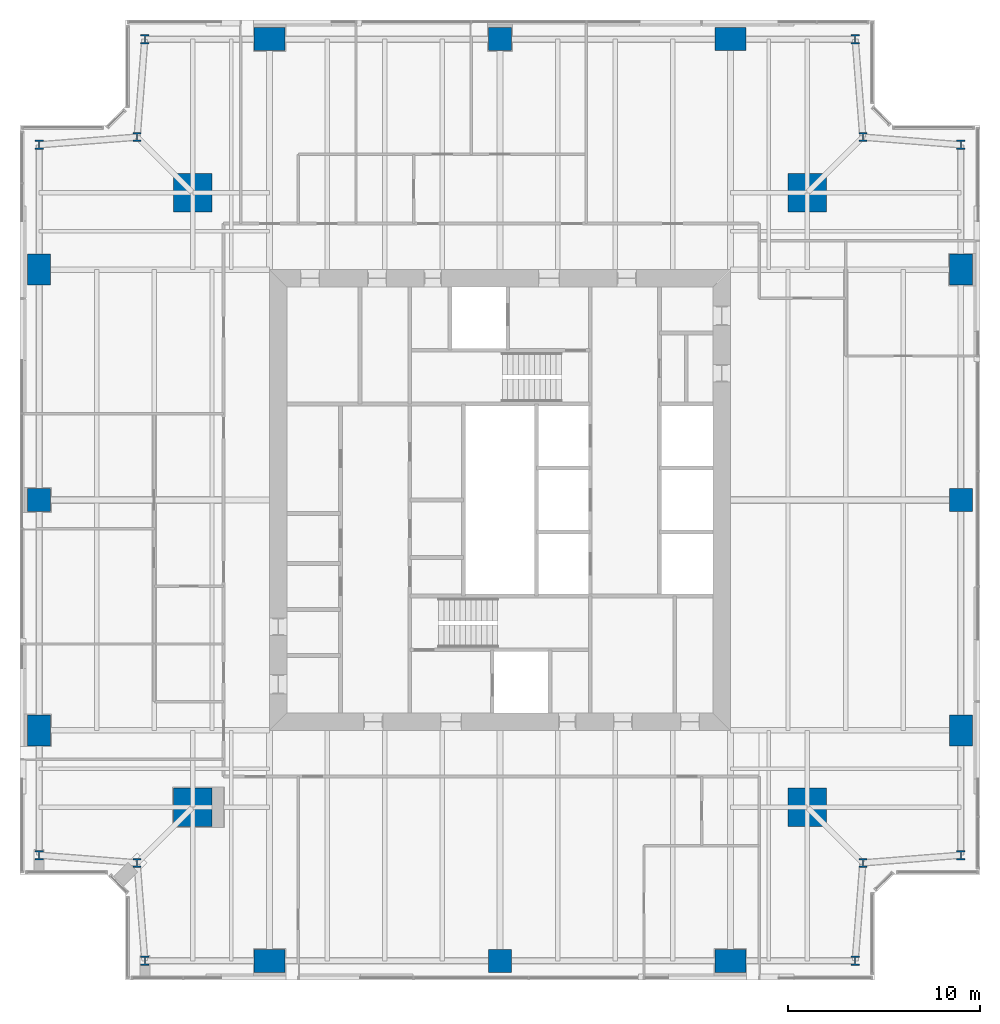
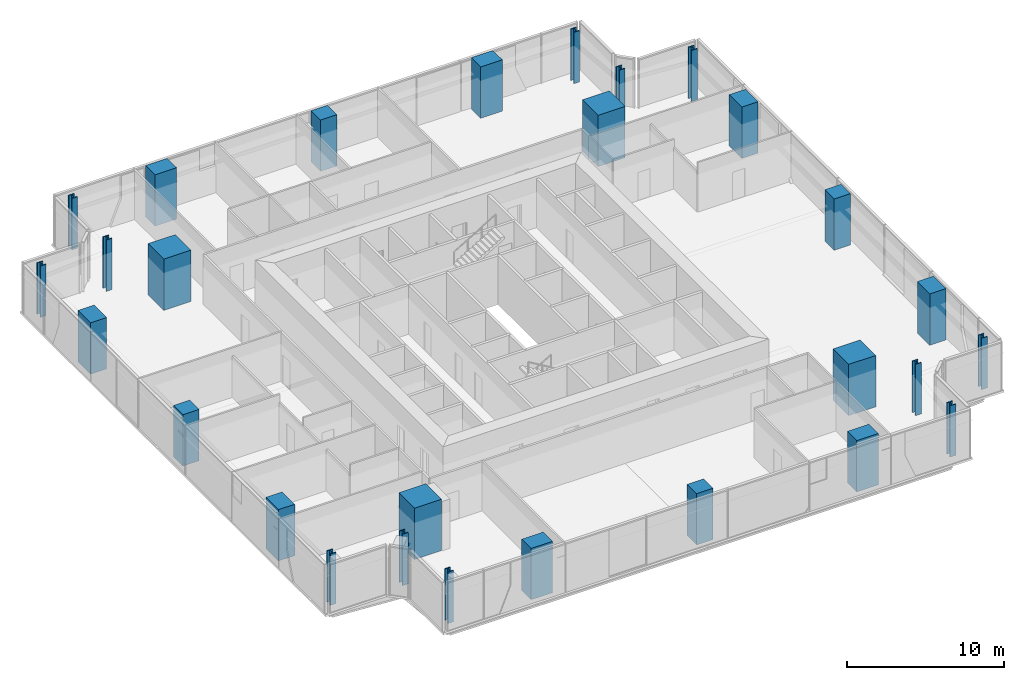
# One storey, part 1 of 14: 28 columns.
"""IFC4 building model written with IfcOpenShell, lengths in metres."""

from ifc_helpers import new_model, si_unit, direction, frame, origin, origin_2d, place, context, subcontext, project, spatial, rectangle, i_section, extrude, material, material_profile, profile_set, type_object, element, save


model = new_model("IFC4")

# Units and contexts
model_context = context("Model", 3, precision=1e-05, world=origin(), true_north=direction((0.0, 1.0)))
body_context = subcontext(model_context, "Body", "Model", "MODEL_VIEW")
ifc_project = project(units=[si_unit("LENGTHUNIT", "METRE"), si_unit("AREAUNIT", "SQUARE_METRE"), si_unit("VOLUMEUNIT", "CUBIC_METRE"), si_unit("PLANEANGLEUNIT", "RADIAN"), si_unit("MASSUNIT", "GRAM", prefix="KILO")], contexts=[model_context])

# Site, building, storey
site_placement = place(None, origin())
site = spatial("IfcSite", under=ifc_project, at=site_placement, CompositionType="ELEMENT")
building_placement = place(site_placement, origin())
building = spatial("IfcBuilding", under=site, at=building_placement, Name="Fenwick Lantern Interchange", CompositionType="ELEMENT")
storey_placement = place(building_placement, frame((0.0, 0.0, 197.800048828125)))
storey = spatial("IfcBuildingStorey", under=building, at=storey_placement, Name="L46", CompositionType="ELEMENT", Elevation=197.800048828125)

# Columns
ifc_material_1 = material(Name="Concrete f'c 70 MPa", Category="concrete")
ifc_material_profile_1 = material_profile(ifc_material_1, rectangle(XDim=2.0, YDim=2.0, at=origin_2d()), Name="RC2000X2000")
ifc_profile_set_1 = profile_set([ifc_material_profile_1], Name="Concrete f'c 70 MPa")
column_type_1 = type_object("IfcColumnType", Name="MEGA COLUMN RC2000X2000", PredefinedType="COLUMN", material=ifc_profile_set_1)
for number, where, z_axis, x_axis, name in (
    (1, (9.0, 9.0, 0.0), (0.0, 0.0, 1.0), (1.0, 0.0, 0.0), "L46/M1"),
    (2, (41.0, 9.0, 0.0), (0.0, 0.0, 1.0), (1.0, 0.0, 0.0), "L46/M2"),
    (3, (41.0, 41.0, 0.0), (0.0, 0.0, 1.0), (1.0, 0.0, 0.0), "L46/M3"),
    (4, (9.0, 41.0, 0.0), (0.0, 0.0, 1.0), (1.0, 0.0, 0.0), "L46/M4"),
):
    element("IfcColumn", number, at=place(storey_placement, frame(where, z_axis=z_axis, x_axis=x_axis)), inside=storey, type_object=column_type_1, Name=name, PredefinedType="COLUMN", context=body_context, shape_type="SweptSolid", body=[
        extrude(rectangle(XDim=2.0, YDim=2.0, at=origin_2d()), origin(), (0.0, 0.0, 1.0), 4.0),
    ])
ifc_material_profile_2 = material_profile(ifc_material_1, rectangle(XDim=1.199951171875, YDim=1.199951171875, at=origin_2d()), Name="RC1200X1200")
ifc_profile_set_2 = profile_set([ifc_material_profile_2], Name="Concrete f'c 70 MPa")
column_type_2 = type_object("IfcColumnType", Name="PERIMETER COLUMN RC1200X1200", PredefinedType="COLUMN", material=ifc_profile_set_2)
for number, where, z_axis, x_axis, name in (
    (5, (25.0, 1.0, 0.0), (0.0, 0.0, 1.0), (1.0, 0.0, 0.0), "L46/CS3"),
    (6, (49.0, 25.0, 0.0), (0.0, 0.0, 1.0), (1.0, 0.0, 0.0), "L46/CE3"),
    (7, (25.0, 49.0, 0.0), (0.0, 0.0, 1.0), (1.0, 0.0, 0.0), "L46/CN3"),
    (8, (1.0, 25.0, 0.0), (0.0, 0.0, 1.0), (1.0, 0.0, 0.0), "L46/CW3"),
):
    element("IfcColumn", number, at=place(storey_placement, frame(where, z_axis=z_axis, x_axis=x_axis)), inside=storey, type_object=column_type_2, Name=name, PredefinedType="COLUMN", context=body_context, shape_type="SweptSolid", body=[
        extrude(rectangle(XDim=1.199951171875, YDim=1.199951171875, at=origin_2d()), origin(), (0.0, 0.0, 1.0), 4.0),
    ])
ifc_material_profile_3 = material_profile(ifc_material_1, rectangle(XDim=1.199951171875, YDim=1.60009765625, at=origin_2d()), Name="RC1200X1600")
ifc_profile_set_3 = profile_set([ifc_material_profile_3], Name="Concrete f'c 70 MPa")
column_type_3 = type_object("IfcColumnType", Name="PERIMETER COLUMN RC1200X1600", PredefinedType="COLUMN", material=ifc_profile_set_3)
for number, where, z_axis, x_axis, name in (
    (9, (49.0, 13.0, 0.0), (0.0, 0.0, 1.0), (1.0, 0.0, 0.0), "L46/CE2"),
    (10, (49.0, 37.0, 0.0), (0.0, 0.0, 1.0), (1.0, 0.0, 0.0), "L46/CE4"),
    (11, (1.0, 37.0, 0.0), (0.0, 0.0, 1.0), (1.0, 0.0, 0.0), "L46/CW2"),
    (12, (1.0, 13.0, 0.0), (0.0, 0.0, 1.0), (1.0, 0.0, 0.0), "L46/CW4"),
):
    element("IfcColumn", number, at=place(storey_placement, frame(where, z_axis=z_axis, x_axis=x_axis)), inside=storey, type_object=column_type_3, Name=name, PredefinedType="COLUMN", context=body_context, shape_type="SweptSolid", body=[
        extrude(rectangle(XDim=1.199951171875, YDim=1.60009765625, at=origin_2d()), origin(), (0.0, 0.0, 1.0), 4.0),
    ])
ifc_material_profile_4 = material_profile(ifc_material_1, rectangle(XDim=1.60009765625, YDim=1.199951171875, at=origin_2d()), Name="RC1600X1200")
ifc_profile_set_4 = profile_set([ifc_material_profile_4], Name="Concrete f'c 70 MPa")
column_type_4 = type_object("IfcColumnType", Name="PERIMETER COLUMN RC1600X1200", PredefinedType="COLUMN", material=ifc_profile_set_4)
for number, where, z_axis, x_axis, name in (
    (13, (13.0, 1.0, 0.0), (0.0, 0.0, 1.0), (1.0, 0.0, 0.0), "L46/CS2"),
    (14, (37.0, 1.0, 0.0), (0.0, 0.0, 1.0), (1.0, 0.0, 0.0), "L46/CS4"),
    (15, (37.0, 49.0, 0.0), (0.0, 0.0, 1.0), (1.0, 0.0, 0.0), "L46/CN2"),
    (16, (13.0, 49.0, 0.0), (0.0, 0.0, 1.0), (1.0, 0.0, 0.0), "L46/CN4"),
):
    element("IfcColumn", number, at=place(storey_placement, frame(where, z_axis=z_axis, x_axis=x_axis)), inside=storey, type_object=column_type_4, Name=name, PredefinedType="COLUMN", context=body_context, shape_type="SweptSolid", body=[
        extrude(rectangle(XDim=1.60009765625, YDim=1.199951171875, at=origin_2d()), origin(), (0.0, 0.0, 1.0), 4.0),
    ])
ifc_material_2 = material(Name="Steel ASTM A992 Grade 50", Category="steel")
ifc_material_profile_5 = material_profile(ifc_material_2, i_section(OverallWidth=0.424072265625, OverallDepth=0.47509765625, WebThickness=0.0478515625, FlangeThickness=0.0771484375, at=origin_2d()), Name="W14X426")
ifc_profile_set_5 = profile_set([ifc_material_profile_5], Name="Steel ASTM A992 Grade 50")
column_type_5 = type_object("IfcColumnType", Name="PERIMETER COLUMN W14X426", PredefinedType="COLUMN", material=ifc_profile_set_5)
for number, where, z_axis, x_axis, name in (
    (17, (6.5, 1.0, 0.0), (0.0, 0.0, 1.0), (1.0, 0.0, 0.0), "L46/CS1"),
    (18, (43.5, 1.0, 0.0), (0.0, 0.0, 1.0), (1.0, 0.0, 0.0), "L46/CS5"),
    (19, (43.89990234375, 6.10009765625, 0.0), (0.0, 0.0, 1.0), (1.0, 0.0, 0.0), "L46/CSR"),
    (20, (49.0, 6.5, 0.0), (0.0, 0.0, 1.0), (1.0, 0.0, 0.0), "L46/CE1"),
    (21, (49.0, 43.5, 0.0), (0.0, 0.0, 1.0), (1.0, 0.0, 0.0), "L46/CE5"),
    (22, (43.89990234375, 43.89990234375, 0.0), (0.0, 0.0, 1.0), (1.0, 0.0, 0.0), "L46/CER"),
    (23, (43.5, 49.0, 0.0), (0.0, 0.0, 1.0), (1.0, 0.0, 0.0), "L46/CN1"),
    (24, (6.5, 49.0, 0.0), (0.0, 0.0, 1.0), (1.0, 0.0, 0.0), "L46/CN5"),
    (25, (6.10009765625, 43.89990234375, 0.0), (0.0, 0.0, 1.0), (1.0, 0.0, 0.0), "L46/CNR"),
    (26, (1.0, 43.5, 0.0), (0.0, 0.0, 1.0), (1.0, 0.0, 0.0), "L46/CW1"),
    (27, (1.0, 6.5, 0.0), (0.0, 0.0, 1.0), (1.0, 0.0, 0.0), "L46/CW5"),
    (28, (6.10009765625, 6.10009765625, 0.0), (0.0, 0.0, 1.0), (1.0, 0.0, 0.0), "L46/CWR"),
):
    element("IfcColumn", number, at=place(storey_placement, frame(where, z_axis=z_axis, x_axis=x_axis)), inside=storey, type_object=column_type_5, Name=name, PredefinedType="COLUMN", context=body_context, shape_type="SweptSolid", body=[
        extrude(i_section(OverallWidth=0.424072265625, OverallDepth=0.47509765625, WebThickness=0.0478515625, FlangeThickness=0.0771484375, at=origin_2d()), origin(), (0.0, 0.0, 1.0), 4.0),
    ])

save(model, "model.ifc")
